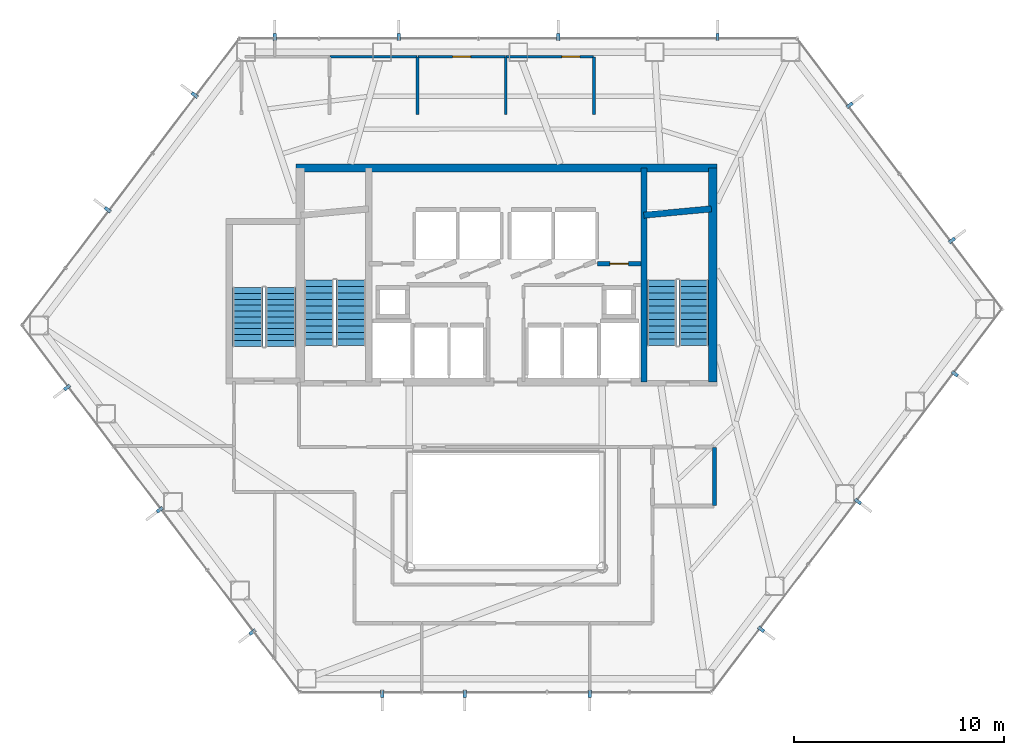
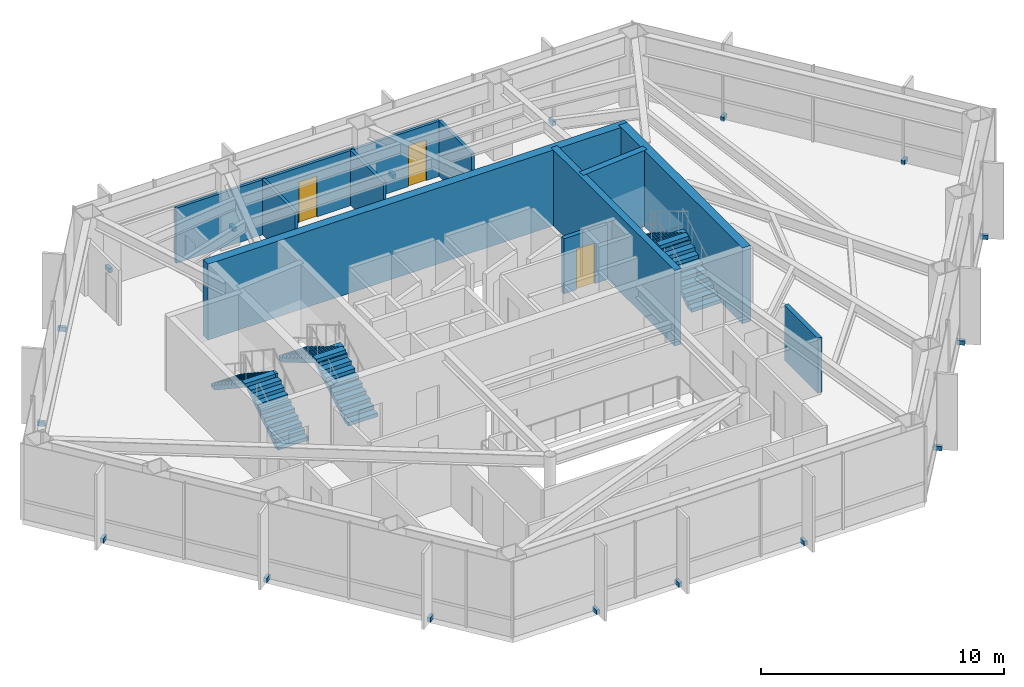
# One storey, part 24 of 25: 17 discrete accessories, 12 walls, 6 stair flights, 3 doors, 3 openings, 3 elements without a shape of their own.
"""IFC4 building model written with IfcOpenShell, lengths in metres."""

from ifc_helpers import new_model, si_unit, direction, frame, frame_2d, origin, origin_2d, place, context, subcontext, project, spatial, polyline, rectangle, outline, extrude, material, layer, layer_set, type_object, element, fill, aggregate, save


model = new_model("IFC4")

# Units and contexts
model_context = context("Model", 3, precision=1e-05, world=origin(), true_north=direction((0.0, 1.0)))
body_context = subcontext(model_context, "Body", "Model", "MODEL_VIEW")
ifc_project = project(units=[si_unit("LENGTHUNIT", "METRE"), si_unit("AREAUNIT", "SQUARE_METRE"), si_unit("VOLUMEUNIT", "CUBIC_METRE"), si_unit("PLANEANGLEUNIT", "RADIAN"), si_unit("MASSUNIT", "GRAM", prefix="KILO")], contexts=[model_context])

# Site, building, storey
site_placement = place(None, origin())
site = spatial("IfcSite", under=ifc_project, at=site_placement, CompositionType="ELEMENT")
building_placement = place(site_placement, origin())
building = spatial("IfcBuilding", under=site, at=building_placement, Name="Zarrinselat Tower", CompositionType="ELEMENT")
storey_placement = place(building_placement, frame((0.0, 0.0, 88.739990234375)))
storey = spatial("IfcBuildingStorey", under=building, at=storey_placement, Name="L21", CompositionType="ELEMENT", Elevation=88.739990234375)

# Wall
ifc_material_1 = material(Name="Concrete C40/50", Category="concrete")
ifc_layer_1 = layer(ifc_material_1, 0.18994140625)
ifc_layer_set_1 = layer_set([ifc_layer_1], Name="Concrete C40/50")
wall_type_1 = type_object("IfcWallType", Name="WAL-PART-EI120", PredefinedType="PARTITIONING", material=ifc_layer_set_1)
wall_1_placement = place(storey_placement, frame((48.35009765625, 27.3701171875, 0.0), z_axis=(0.0, 0.0, 1.0), x_axis=(0.0, 1.0, 0.0)))
element("IfcWall", 1, at=wall_1_placement, inside=storey, type_object=wall_type_1, Name="L21 Partition Wall 15", PredefinedType="PARTITIONING", context=body_context, shape_type="SweptSolid", body=[
    extrude(rectangle(XDim=2.759765625, YDim=0.18994140625, at=frame_2d((1.3798828125, 0.0))), origin(), (0.0, 0.0, 1.0), 2.777099609375),
])

# Wall, opening, door
ifc_material_2 = material(Name="Concrete C40/50", Category="concrete")
ifc_layer_2 = layer(ifc_material_2, 0.199951171875)
ifc_layer_set_2 = layer_set([ifc_layer_2], Name="Concrete C40/50")
wall_type_2 = type_object("IfcWallType", Name="WAL-PART-PLANT", PredefinedType="PARTITIONING", material=ifc_layer_set_2)
wall_2_placement = place(storey_placement, frame((42.764892578125, 38.889892578125, 0.0), z_axis=(0.0, 0.0, 1.0), x_axis=(1.0, 0.0, 0.0)))
wall_2 = element("IfcWall", 2, at=wall_2_placement, inside=storey, type_object=wall_type_2, Name="L21 Partition Wall 4", PredefinedType="PARTITIONING", context=body_context, shape_type="SweptSolid", body=[
    extrude(rectangle(XDim=2.070068359375, YDim=0.199951171875, at=frame_2d((1.03515625, 0.0))), origin(), (0.0, 0.0, 1.0), 2.777099609375),
])
opening_1_placement = place(wall_2_placement, frame((0.594970703125, 0.0, 0.0)))
opening_1 = element("IfcOpeningElement", 3, at=opening_1_placement, cuts=wall_2, Name="Opening ID-03", PredefinedType="OPENING", context=body_context, shape_type="SweptSolid", body=[
    extrude(rectangle(XDim=0.8798828125, YDim=2.050048828125, at=frame_2d((0.43994140625, 1.02490234375))), frame((0.0, 0.10986328125, 0.0), z_axis=(0.0, -1.0, 0.0), x_axis=(1.0, 0.0, 0.0)), (0.0, 0.0, 1.0), 0.219970703125),
])
ifc_material_3 = material(Name="Steel S355J2", Category="steel")
door_type_1 = type_object("IfcDoorType", Name="DR-INT-FD60-S", OperationType="NOTDEFINED", PredefinedType="DOOR", material=ifc_material_3)
door_1_placement = place(opening_1_placement, origin())
door_1 = element("IfcDoor", 4, at=door_1_placement, inside=storey, type_object=door_type_1, Name="L21 Interior Door P4", OperationType="SINGLE_SWING_RIGHT", OverallHeight=2.050048828125, OverallWidth=0.8798828125, PredefinedType="DOOR", context=body_context, shape_type="SweptSolid", body=[
    extrude(rectangle(XDim=0.8798828125, YDim=2.050048828125, at=frame_2d((0.43994140625, 1.02490234375))), frame((0.0, 0.02490234375, 0.0), z_axis=(0.0, -1.0, 0.0), x_axis=(1.0, 0.0, 0.0)), (0.0, 0.0, 1.0), 0.050048828125),
])
fill(opening_1, door_1)

# Walls
ifc_material_4 = material(Name="Fire-Rated Gypsum Board Partition", Category="gypsum")
ifc_layer_3 = layer(ifc_material_4, 0.135009765625)
ifc_layer_set_3 = layer_set([ifc_layer_3], Name="Fire-Rated Gypsum Board Partition")
wall_type_3 = type_object("IfcWallType", Name="WAL-PART-WET", PredefinedType="PARTITIONING", material=ifc_layer_set_3)
wall_3_placement = place(storey_placement, frame((34.199951171875, 46.0, 0.0), z_axis=(0.0, 0.0, 1.0), x_axis=(0.0, 1.0, 0.0)))
element("IfcWall", 5, at=wall_3_placement, inside=storey, type_object=wall_type_3, Name="L21 Partition Wall 38", PredefinedType="PARTITIONING", context=body_context, shape_type="SweptSolid", body=[
    extrude(rectangle(XDim=2.72998046875, YDim=0.135009765625, at=frame_2d((1.364990234375, 0.0))), origin(), (0.0, 0.0, 1.0), 2.777099609375),
])
wall_4_placement = place(storey_placement, frame((30.02001953125, 48.75, 0.0), z_axis=(0.0, 0.0, 1.0), x_axis=(1.0, 0.0, 0.0)))
element("IfcWall", 6, at=wall_4_placement, inside=storey, type_object=wall_type_3, Name="L21 Partition Wall 39", PredefinedType="PARTITIONING", context=body_context, shape_type="SweptSolid", body=[
    extrude(rectangle(XDim=4.159912109375, YDim=0.135009765625, at=frame_2d((2.080078125, 0.0))), origin(), (0.0, 0.0, 1.0), 2.777099609375),
])
wall_5_placement = place(storey_placement, frame((38.39990234375, 46.0, 0.0), z_axis=(0.0, 0.0, 1.0), x_axis=(0.0, 1.0, 0.0)))
element("IfcWall", 7, at=wall_5_placement, inside=storey, type_object=wall_type_3, Name="L21 Partition Wall 40", PredefinedType="PARTITIONING", context=body_context, shape_type="SweptSolid", body=[
    extrude(rectangle(XDim=2.72998046875, YDim=0.135009765625, at=frame_2d((1.364990234375, 0.0))), origin(), (0.0, 0.0, 1.0), 2.777099609375),
])

# Wall, opening, door
wall_6_placement = place(storey_placement, frame((34.219970703125, 48.75, 0.0), z_axis=(0.0, 0.0, 1.0), x_axis=(1.0, 0.0, 0.0)))
wall_6 = element("IfcWall", 8, at=wall_6_placement, inside=storey, type_object=wall_type_3, Name="L21 Partition Wall 41", PredefinedType="PARTITIONING", context=body_context, shape_type="SweptSolid", body=[
    extrude(rectangle(XDim=4.159912109375, YDim=0.135009765625, at=frame_2d((2.080078125, 0.0))), origin(), (0.0, 0.0, 1.0), 2.777099609375),
])
opening_2_placement = place(wall_6_placement, frame((1.64990234375, 0.0, 0.0)))
opening_2 = element("IfcOpeningElement", 9, at=opening_2_placement, cuts=wall_6, Name="Opening ID-06", PredefinedType="OPENING", context=body_context, shape_type="SweptSolid", body=[
    extrude(rectangle(XDim=0.860107421875, YDim=2.050048828125, at=frame_2d((0.43017578125, 1.02490234375))), frame((0.0, 0.077392578125, 0.0), z_axis=(0.0, -1.0, 0.0), x_axis=(1.0, 0.0, 0.0)), (0.0, 0.0, 1.0), 0.155029296875),
])
ifc_material_5 = material(Name="Extruded Aluminium Alloy EN AW-6063 T6", Category="aluminium")
door_type_2 = type_object("IfcDoorType", Name="DR-INT-WET-900", OperationType="NOTDEFINED", PredefinedType="DOOR", material=ifc_material_5)
door_2_placement = place(opening_2_placement, origin())
door_2 = element("IfcDoor", 10, at=door_2_placement, inside=storey, type_object=door_type_2, Name="L21 Interior Door P41", OperationType="SINGLE_SWING_RIGHT", OverallHeight=2.050048828125, OverallWidth=0.860107421875, PredefinedType="DOOR", context=body_context, shape_type="SweptSolid", body=[
    extrude(rectangle(XDim=0.860107421875, YDim=2.050048828125, at=frame_2d((0.43017578125, 1.02490234375))), frame((0.0, 0.02490234375, 0.0), z_axis=(0.0, -1.0, 0.0), x_axis=(1.0, 0.0, 0.0)), (0.0, 0.0, 1.0), 0.050048828125),
])
fill(opening_2, door_2)

wall_7_placement = place(storey_placement, frame((38.419921875, 48.75, 0.0), z_axis=(0.0, 0.0, 1.0), x_axis=(1.0, 0.0, 0.0)))
wall_7 = element("IfcWall", 11, at=wall_7_placement, inside=storey, type_object=wall_type_3, Name="L21 Partition Wall 42", PredefinedType="PARTITIONING", context=body_context, shape_type="SweptSolid", body=[
    extrude(rectangle(XDim=4.16015625, YDim=0.135009765625, at=frame_2d((2.080078125, 0.0))), origin(), (0.0, 0.0, 1.0), 2.777099609375),
])
opening_3_placement = place(wall_7_placement, frame((2.64990234375, 0.0, 0.0)))
opening_3 = element("IfcOpeningElement", 12, at=opening_3_placement, cuts=wall_7, Name="Opening ID-06", PredefinedType="OPENING", context=body_context, shape_type="SweptSolid", body=[
    extrude(rectangle(XDim=0.860107421875, YDim=2.050048828125, at=frame_2d((0.43017578125, 1.02490234375))), frame((0.0, 0.077392578125, 0.0), z_axis=(0.0, -1.0, 0.0), x_axis=(1.0, 0.0, 0.0)), (0.0, 0.0, 1.0), 0.155029296875),
])
door_3_placement = place(opening_3_placement, origin())
door_3 = element("IfcDoor", 13, at=door_3_placement, inside=storey, type_object=door_type_2, Name="L21 Interior Door P42", OperationType="SINGLE_SWING_LEFT", OverallHeight=2.050048828125, OverallWidth=0.860107421875, PredefinedType="DOOR", context=body_context, shape_type="SweptSolid", body=[
    extrude(rectangle(XDim=0.860107421875, YDim=2.050048828125, at=frame_2d((0.43017578125, 1.02490234375))), frame((0.0, 0.02490234375, 0.0), z_axis=(0.0, -1.0, 0.0), x_axis=(1.0, 0.0, 0.0)), (0.0, 0.0, 1.0), 0.050048828125),
])
fill(opening_3, door_3)

# Walls
wall_8_placement = place(storey_placement, frame((42.60009765625, 46.0, 0.0), z_axis=(0.0, 0.0, 1.0), x_axis=(0.0, 1.0, 0.0)))
element("IfcWall", 14, at=wall_8_placement, inside=storey, type_object=wall_type_3, Name="L21 Partition Wall 43", PredefinedType="PARTITIONING", context=body_context, shape_type="SweptSolid", body=[
    extrude(rectangle(XDim=2.72998046875, YDim=0.135009765625, at=frame_2d((1.364990234375, 0.0))), origin(), (0.0, 0.0, 1.0), 2.777099609375),
])
ifc_material_6 = material(Name="Concrete C40/50", Category="concrete")
ifc_layer_4 = layer(ifc_material_6, 0.300048828125)
ifc_layer_set_4 = layer_set([ifc_layer_4], Name="Concrete C40/50")
wall_type_4 = type_object("IfcWallType", Name="WAL-SHEAR-300", PredefinedType="SHEAR", material=ifc_layer_set_4)
wall_9_placement = place(storey_placement, frame((44.989990234375, 33.25, 0.0), z_axis=(0.0, 0.0, 1.0), x_axis=(0.0, 1.0, 0.0)))
element("IfcWall", 15, at=wall_9_placement, inside=storey, type_object=wall_type_4, Name="L21 Core Shear Wall ST2W", PredefinedType="SHEAR", context=body_context, shape_type="SweptSolid", body=[
    extrude(rectangle(XDim=10.199951171875, YDim=0.300048828125, at=frame_2d((5.10009765625, 0.0))), origin(), (0.0, 0.0, 1.0), 3.820068359375),
])
wall_10_placement = place(storey_placement, frame((44.97998046875, 41.199951171875, 0.0), z_axis=(0.0, 0.0, 1.0), x_axis=(0.995686468965, 0.09278176286, 0.0)))
element("IfcWall", 16, at=wall_10_placement, inside=storey, type_object=wall_type_4, Name="L21 Stair 2 North Shaft Wall", PredefinedType="SHEAR", context=body_context, shape_type="SweptSolid", body=[
    extrude(rectangle(XDim=3.23388671875, YDim=0.300048828125, at=frame_2d((1.616943359375, 0.0))), origin(), (0.0, 0.0, 1.0), 3.820068359375),
])
ifc_material_7 = material(Name="Concrete C60/75", Category="concrete")
ifc_layer_5 = layer(ifc_material_7, 0.39990234375)
ifc_layer_set_5 = layer_set([ifc_layer_5], Name="Concrete C60/75")
wall_type_5 = type_object("IfcWallType", Name="WAL-SHEAR-400", PredefinedType="SHEAR", material=ifc_layer_set_5)
wall_11_placement = place(storey_placement, frame((28.39990234375, 43.449951171875, 0.0), z_axis=(0.0, 0.0, 1.0), x_axis=(1.0, 0.0, 0.0)))
element("IfcWall", 17, at=wall_11_placement, inside=storey, type_object=wall_type_5, Name="L21 North Core Shear Wall", PredefinedType="SHEAR", context=body_context, shape_type="SweptSolid", body=[
    extrude(rectangle(XDim=20.06005859375, YDim=0.39990234375, at=frame_2d((10.030029296875, 0.0))), origin(), (0.0, 0.0, 1.0), 3.820068359375),
])
wall_12_placement = place(storey_placement, frame((48.260009765625, 33.25, 0.0), z_axis=(0.0, 0.0, 1.0), x_axis=(0.0, 1.0, 0.0)))
element("IfcWall", 18, at=wall_12_placement, inside=storey, type_object=wall_type_5, Name="L21 Core Shear Wall E", PredefinedType="SHEAR", context=body_context, shape_type="SweptSolid", body=[
    extrude(rectangle(XDim=10.199951171875, YDim=0.39990234375, at=frame_2d((5.10009765625, 0.0))), origin(), (0.0, 0.0, 1.0), 3.820068359375),
])

# Stair, stair flights
ifc_material_8 = material(Name="Concrete C40/50", Category="concrete")
stair_type_1 = type_object("IfcStairType", Name="STR-CORE-145", PredefinedType="HALF_TURN_STAIR", material=ifc_material_8)
stair_1_placement = place(storey_placement, origin())
stair_1 = element("IfcStair", 19, at=stair_1_placement, inside=storey, type_object=stair_type_1, Name="L21 Podium & Mid-Tower Exit Stair 3", PredefinedType="HALF_TURN_STAIR")
ifc_material_9 = material(Name="Concrete C40/50", Category="concrete")
stair_flight_type_1 = type_object("IfcStairFlightType", Name="STR-FLT-145", PredefinedType="STRAIGHT", material=ifc_material_9)
stair_flight_1_placement = place(storey_placement, frame((27.675048828125, 34.949951171875, 0.0), z_axis=(0.0, 0.0, 1.0), x_axis=(0.0, 1.0, 0.0)))
stair_flight_1 = element("IfcStairFlight", 20, at=stair_flight_1_placement, type_object=stair_flight_type_1, Name="ST-3 flight 1", NumberOfRisers=11, NumberOfTreads=10, PredefinedType="STRAIGHT", RiserHeight=0.185454545, TreadLength=0.28, context=body_context, shape_type="SweptSolid", body=[
    extrude(outline(polyline([(0.0, 0.0), (0.0, 0.185546875), (0.280029296875, 0.185546875), (0.280029296875, 0.370849609375), (0.56005859375, 0.370849609375), (0.56005859375, 0.556396484375), (0.840087890625, 0.556396484375), (0.840087890625, 0.74169921875), (1.1201171875, 0.74169921875), (1.1201171875, 0.92724609375), (1.39990234375, 0.92724609375), (1.39990234375, 1.11279296875), (1.679931640625, 1.11279296875), (1.679931640625, 1.298095703125), (1.9599609375, 1.298095703125), (1.9599609375, 1.483642578125), (2.239990234375, 1.483642578125), (2.239990234375, 1.669189453125), (2.52001953125, 1.669189453125), (2.52001953125, 1.8544921875), (2.800048828125, 1.8544921875), (2.800048828125, 2.0400390625), (2.800048828125, 1.6748046875), (0.271484375, 0.0), (0.0, 0.0)])), frame((0.0, 0.72509765625, 0.0), z_axis=(0.0, -1.0, 0.0), x_axis=(1.0, 0.0, 0.0)), (0.0, 0.0, 1.0), 1.449951171875),
])
stair_flight_2_placement = place(storey_placement, frame((26.10498046875, 37.75, 2.0400390625), z_axis=(0.0, 0.0, 1.0), x_axis=(0.0, -1.0, 0.0)))
stair_flight_2 = element("IfcStairFlight", 21, at=stair_flight_2_placement, type_object=stair_flight_type_1, Name="ST-3 flight 2", NumberOfRisers=11, NumberOfTreads=10, PredefinedType="STRAIGHT", RiserHeight=0.185454545, TreadLength=0.28, context=body_context, shape_type="SweptSolid", body=[
    extrude(outline(polyline([(0.0, 0.0), (0.0, 0.185546875), (0.280029296875, 0.185546875), (0.280029296875, 0.370849609375), (0.56005859375, 0.370849609375), (0.56005859375, 0.556396484375), (0.840087890625, 0.556396484375), (0.840087890625, 0.74169921875), (1.1201171875, 0.74169921875), (1.1201171875, 0.92724609375), (1.39990234375, 0.92724609375), (1.39990234375, 1.11279296875), (1.679931640625, 1.11279296875), (1.679931640625, 1.298095703125), (1.9599609375, 1.298095703125), (1.9599609375, 1.483642578125), (2.239990234375, 1.483642578125), (2.239990234375, 1.669189453125), (2.52001953125, 1.669189453125), (2.52001953125, 1.8544921875), (2.800048828125, 1.8544921875), (2.800048828125, 2.0400390625), (2.800048828125, 1.6748046875), (0.271484375, 0.0), (0.0, 0.0)])), frame((0.0, 0.72509765625, 0.0), z_axis=(0.0, -1.0, 0.0), x_axis=(1.0, 0.0, 0.0)), (0.0, 0.0, 1.0), 1.449951171875),
])
aggregate(stair_1, [stair_flight_1, stair_flight_2])

ifc_material_10 = material(Name="Concrete C40/50", Category="concrete")
stair_type_2 = type_object("IfcStairType", Name="STR-CORE-155", PredefinedType="HALF_TURN_STAIR", material=ifc_material_10)
stair_2_placement = place(storey_placement, origin())
stair_2 = element("IfcStair", 22, at=stair_2_placement, inside=storey, type_object=stair_type_2, Name="L21 Core Exit Stair 1", PredefinedType="HALF_TURN_STAIR")
ifc_material_11 = material(Name="Concrete C40/50", Category="concrete")
stair_flight_type_2 = type_object("IfcStairFlightType", Name="STR-FLT-155", PredefinedType="STRAIGHT", material=ifc_material_11)
stair_flight_3_placement = place(storey_placement, frame((31.02001953125, 35.0, 0.0), z_axis=(0.0, 0.0, 1.0), x_axis=(0.0, 1.0, 0.0)))
stair_flight_3 = element("IfcStairFlight", 23, at=stair_flight_3_placement, type_object=stair_flight_type_2, Name="ST-1 flight 1", NumberOfRisers=11, NumberOfTreads=10, PredefinedType="STRAIGHT", RiserHeight=0.185454545, TreadLength=0.31, context=body_context, shape_type="SweptSolid", body=[
    extrude(outline(polyline([(0.0, 0.0), (0.0, 0.185546875), (0.31005859375, 0.185546875), (0.31005859375, 0.370849609375), (0.6201171875, 0.370849609375), (0.6201171875, 0.556396484375), (0.929931640625, 0.556396484375), (0.929931640625, 0.74169921875), (1.239990234375, 0.74169921875), (1.239990234375, 0.92724609375), (1.550048828125, 0.92724609375), (1.550048828125, 1.11279296875), (1.860107421875, 1.11279296875), (1.860107421875, 1.298095703125), (2.169921875, 1.298095703125), (2.169921875, 1.483642578125), (2.47998046875, 1.483642578125), (2.47998046875, 1.669189453125), (2.7900390625, 1.669189453125), (2.7900390625, 1.8544921875), (3.10009765625, 1.8544921875), (3.10009765625, 2.0400390625), (3.10009765625, 1.679931640625), (0.2919921875, 0.0), (0.0, 0.0)])), frame((0.0, 0.699951171875, 0.0), z_axis=(0.0, -1.0, 0.0), x_axis=(1.0, 0.0, 0.0)), (0.0, 0.0, 1.0), 1.39990234375),
])
stair_flight_4_placement = place(storey_placement, frame((29.5, 38.10009765625, 2.0400390625), z_axis=(0.0, 0.0, 1.0), x_axis=(0.0, -1.0, 0.0)))
stair_flight_4 = element("IfcStairFlight", 24, at=stair_flight_4_placement, type_object=stair_flight_type_2, Name="ST-1 flight 2", NumberOfRisers=11, NumberOfTreads=10, PredefinedType="STRAIGHT", RiserHeight=0.185454545, TreadLength=0.31, context=body_context, shape_type="SweptSolid", body=[
    extrude(outline(polyline([(0.0, 0.0), (0.0, 0.185546875), (0.31005859375, 0.185546875), (0.31005859375, 0.370849609375), (0.6201171875, 0.370849609375), (0.6201171875, 0.556396484375), (0.929931640625, 0.556396484375), (0.929931640625, 0.74169921875), (1.239990234375, 0.74169921875), (1.239990234375, 0.92724609375), (1.550048828125, 0.92724609375), (1.550048828125, 1.11279296875), (1.860107421875, 1.11279296875), (1.860107421875, 1.298095703125), (2.169921875, 1.298095703125), (2.169921875, 1.483642578125), (2.47998046875, 1.483642578125), (2.47998046875, 1.669189453125), (2.7900390625, 1.669189453125), (2.7900390625, 1.8544921875), (3.10009765625, 1.8544921875), (3.10009765625, 2.0400390625), (3.10009765625, 1.679931640625), (0.2919921875, 0.0), (0.0, 0.0)])), frame((0.0, 0.699951171875, 0.0), z_axis=(0.0, -1.0, 0.0), x_axis=(1.0, 0.0, 0.0)), (0.0, 0.0, 1.0), 1.39990234375),
])
aggregate(stair_2, [stair_flight_3, stair_flight_4])

stair_3_placement = place(storey_placement, origin())
stair_3 = element("IfcStair", 25, at=stair_3_placement, inside=storey, type_object=stair_type_2, Name="L21 Core Exit Stair 2", PredefinedType="HALF_TURN_STAIR")
stair_flight_5_placement = place(storey_placement, frame((47.360107421875, 35.0, 0.0), z_axis=(0.0, 0.0, 1.0), x_axis=(0.0, 1.0, 0.0)))
stair_flight_5 = element("IfcStairFlight", 26, at=stair_flight_5_placement, type_object=stair_flight_type_2, Name="ST-2 flight 1", NumberOfRisers=11, NumberOfTreads=10, PredefinedType="STRAIGHT", RiserHeight=0.185454545, TreadLength=0.31, context=body_context, shape_type="SweptSolid", body=[
    extrude(outline(polyline([(0.0, 0.0), (0.0, 0.185546875), (0.31005859375, 0.185546875), (0.31005859375, 0.370849609375), (0.6201171875, 0.370849609375), (0.6201171875, 0.556396484375), (0.929931640625, 0.556396484375), (0.929931640625, 0.74169921875), (1.239990234375, 0.74169921875), (1.239990234375, 0.92724609375), (1.550048828125, 0.92724609375), (1.550048828125, 1.11279296875), (1.860107421875, 1.11279296875), (1.860107421875, 1.298095703125), (2.169921875, 1.298095703125), (2.169921875, 1.483642578125), (2.47998046875, 1.483642578125), (2.47998046875, 1.669189453125), (2.7900390625, 1.669189453125), (2.7900390625, 1.8544921875), (3.10009765625, 1.8544921875), (3.10009765625, 2.0400390625), (3.10009765625, 1.679931640625), (0.2919921875, 0.0), (0.0, 0.0)])), frame((0.0, 0.699951171875, 0.0), z_axis=(0.0, -1.0, 0.0), x_axis=(1.0, 0.0, 0.0)), (0.0, 0.0, 1.0), 1.39990234375),
])
stair_flight_6_placement = place(storey_placement, frame((45.840087890625, 38.10009765625, 2.0400390625), z_axis=(0.0, 0.0, 1.0), x_axis=(0.0, -1.0, 0.0)))
stair_flight_6 = element("IfcStairFlight", 27, at=stair_flight_6_placement, type_object=stair_flight_type_2, Name="ST-2 flight 2", NumberOfRisers=11, NumberOfTreads=10, PredefinedType="STRAIGHT", RiserHeight=0.185454545, TreadLength=0.31, context=body_context, shape_type="SweptSolid", body=[
    extrude(outline(polyline([(0.0, 0.0), (0.0, 0.185546875), (0.31005859375, 0.185546875), (0.31005859375, 0.370849609375), (0.6201171875, 0.370849609375), (0.6201171875, 0.556396484375), (0.929931640625, 0.556396484375), (0.929931640625, 0.74169921875), (1.239990234375, 0.74169921875), (1.239990234375, 0.92724609375), (1.550048828125, 0.92724609375), (1.550048828125, 1.11279296875), (1.860107421875, 1.11279296875), (1.860107421875, 1.298095703125), (2.169921875, 1.298095703125), (2.169921875, 1.483642578125), (2.47998046875, 1.483642578125), (2.47998046875, 1.669189453125), (2.7900390625, 1.669189453125), (2.7900390625, 1.8544921875), (3.10009765625, 1.8544921875), (3.10009765625, 2.0400390625), (3.10009765625, 1.679931640625), (0.2919921875, 0.0), (0.0, 0.0)])), frame((0.0, 0.699951171875, 0.0), z_axis=(0.0, -1.0, 0.0), x_axis=(1.0, 0.0, 0.0)), (0.0, 0.0, 1.0), 1.39990234375),
])
aggregate(stair_3, [stair_flight_5, stair_flight_6])

# Discrete accessories
ifc_material_12 = material(Name="Steel S355J2", Category="steel")
discrete_accessory_type = type_object("IfcDiscreteAccessoryType", Name="ACC-FIN-BRACKET", PredefinedType="BRACKET", material=ifc_material_12)
for number, where, z_axis, x_axis, name in (
    (28, (48.493408203125, 49.686767578125, -0.0498046875), (0.0, 0.0, 1.0), (0.0, 1.0, 0.0), "L21 Fin Fixing Bracket CW-L21-E01-01"),
    (29, (40.897216796875, 49.686767578125, -0.0498046875), (0.0, 0.0, 1.0), (0.0, 1.0, 0.0), "L21 Fin Fixing Bracket CW-L21-E01-03"),
    (30, (33.30078125, 49.686767578125, -0.0498046875), (0.0, 0.0, 1.0), (0.0, 1.0, 0.0), "L21 Fin Fixing Bracket CW-L21-E01-05"),
    (31, (27.39990234375, 49.686767578125, -0.0498046875), (0.0, 0.0, 1.0), (0.0, 1.0, 0.0), "L21 Fin Fixing Bracket CW-L21-E01-07"),
    (32, (23.577392578125, 46.9248046875, -0.0498046875), (0.0, 0.0, 1.0), (-0.797092658414, 0.603857014451, 0.0), "L21 Fin Fixing Bracket CW-L21-E02-01"),
    (33, (19.4345703125, 41.456298828125, -0.0498046875), (0.0, 0.0, 1.0), (-0.797092658414, 0.603857014451, 0.0), "L21 Fin Fixing Bracket CW-L21-E02-03"),
    (34, (17.499755859375, 32.989013671875, -0.0498046875), (0.0, 0.0, 1.0), (-0.797093079006, -0.603856459269, 0.0), "L21 Fin Fixing Bracket CW-L21-E03-01"),
    (35, (21.915283203125, 27.16064453125, -0.0498046875), (0.0, 0.0, 1.0), (-0.797093079006, -0.603856459269, 0.0), "L21 Fin Fixing Bracket CW-L21-E03-03"),
    (36, (26.330810546875, 21.33203125, -0.0498046875), (0.0, 0.0, 1.0), (-0.797093079006, -0.603856459269, 0.0), "L21 Fin Fixing Bracket CW-L21-E03-05"),
    (37, (32.5166015625, 18.389892578125, -0.0498046875), (0.0, 0.0, 1.0), (0.0, -1.0, 0.0), "L21 Fin Fixing Bracket CW-L21-E04-01"),
    (38, (36.43896484375, 18.389892578125, -0.0498046875), (0.0, 0.0, 1.0), (0.0, -1.0, 0.0), "L21 Fin Fixing Bracket CW-L21-E04-03"),
    (39, (42.39990234375, 18.389892578125, -0.0498046875), (0.0, 0.0, 1.0), (0.0, -1.0, 0.0), "L21 Fin Fixing Bracket CW-L21-E04-05"),
    (40, (50.56884765625, 21.463623046875, -0.0498046875), (0.0, 0.0, 1.0), (0.797093674981, -0.603855672579, 0.0), "L21 Fin Fixing Bracket CW-L21-E05-01"),
    (41, (55.18359375, 27.555419921875, -0.0498046875), (0.0, 0.0, 1.0), (0.797093674981, -0.603855672579, 0.0), "L21 Fin Fixing Bracket CW-L21-E05-03"),
    (42, (59.798583984375, 33.64697265625, -0.0498046875), (0.0, 0.0, 1.0), (0.797093674981, -0.603855672579, 0.0), "L21 Fin Fixing Bracket CW-L21-E05-05"),
    (43, (59.66650390625, 39.997802734375, -0.0498046875), (0.0, 0.0, 1.0), (0.797091787141, 0.603858164533, 0.0), "L21 Fin Fixing Bracket CW-L21-E06-01"),
    (44, (54.787109375, 46.438720703125, -0.0498046875), (0.0, 0.0, 1.0), (0.797091787141, 0.603858164533, 0.0), "L21 Fin Fixing Bracket CW-L21-E06-03"),
):
    element("IfcDiscreteAccessory", number, at=place(storey_placement, frame(where, z_axis=z_axis, x_axis=x_axis)), inside=storey, type_object=discrete_accessory_type, Name=name, PredefinedType="BRACKET", context=body_context, shape_type="SweptSolid", body=[
        extrude(rectangle(XDim=0.340087890625, YDim=0.159912109375, at=origin_2d()), origin(), (0.0, 0.0, 1.0), 0.219970703125),
    ])

save(model, "model.ifc")
